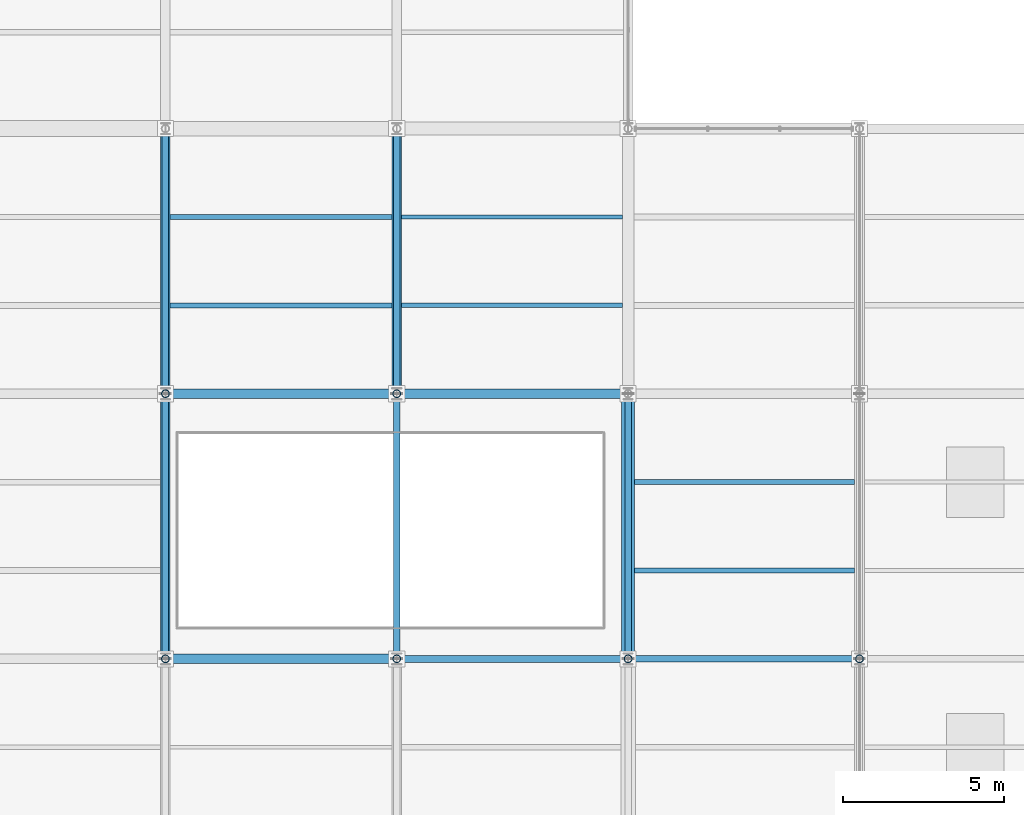
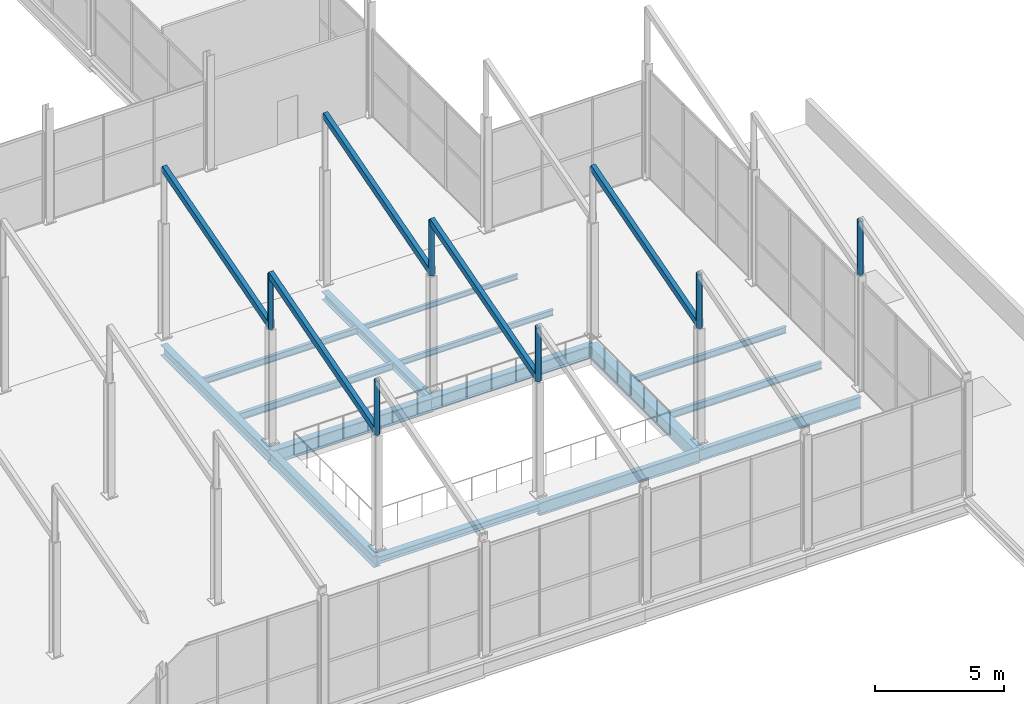
# One storey, part 66 of 141: 15 beams, 11 members.
"""IFC4 building model written with IfcOpenShell, lengths in metres."""

from ifc_helpers import new_model, si_unit, direction, frame, origin, origin_2d, place, context, subcontext, project, spatial, rectangle, hollow_rectangle, hollow_circle, i_section, extrude, material, material_profile, profile_set, type_object, element, save


model = new_model("IFC4")

# Units and contexts
model_context = context("Model", 3, precision=1e-05, world=origin(), true_north=direction((0.0, 1.0)))
body_context = subcontext(model_context, "Body", "Model", "MODEL_VIEW")
ifc_project = project(units=[si_unit("LENGTHUNIT", "METRE"), si_unit("AREAUNIT", "SQUARE_METRE"), si_unit("VOLUMEUNIT", "CUBIC_METRE"), si_unit("PLANEANGLEUNIT", "RADIAN"), si_unit("MASSUNIT", "GRAM", prefix="KILO")], contexts=[model_context])

# Site, building, storey
site_placement = place(None, origin())
site = spatial("IfcSite", under=ifc_project, at=site_placement, CompositionType="ELEMENT")
building_placement = place(site_placement, origin())
building = spatial("IfcBuilding", under=site, at=building_placement, Name="Sundgate Opera House", CompositionType="ELEMENT")
storey_placement = place(building_placement, frame((0.0, 0.0, 11.39990234375)))
storey = spatial("IfcBuildingStorey", under=building, at=storey_placement, Name="L02", CompositionType="ELEMENT", Elevation=11.39990234375)

# Beams
ifc_material_1 = material(Name="Steel S355J2", Category="steel")
ifc_material_profile_1 = material_profile(ifc_material_1, i_section(OverallWidth=0.300048828125, OverallDepth=0.330078125, WebThickness=0.009521484375, FlangeThickness=0.0166015625, at=origin_2d()), Name="HEA 340")
ifc_profile_set_1 = profile_set([ifc_material_profile_1], Name="Steel S355J2")
beam_type_1 = type_object("IfcBeamType", Name="BM-GR-HEA340", PredefinedType="BEAM", material=ifc_profile_set_1)
beam_1_placement = place(storey_placement, frame((131.39990234375, 16.5, -0.514892578125), z_axis=(1.0, 0.0, 0.0), x_axis=(0.0, 1.0, 0.0)))
element("IfcBeam", 1, at=beam_1_placement, inside=storey, type_object=beam_type_1, Name="L02 Primary E-W Girder B1980", PredefinedType="BEAM", context=body_context, shape_type="SweptSolid", body=[
    extrude(i_section(OverallWidth=0.300048828125, OverallDepth=0.330078125, WebThickness=0.009521484375, FlangeThickness=0.0166015625, at=origin_2d()), origin(), (0.0, 0.0, 1.0), 7.2001953125),
])
ifc_material_2 = material(Name="Steel S355J2", Category="steel")
ifc_material_profile_2 = material_profile(ifc_material_2, i_section(OverallWidth=0.300048828125, OverallDepth=0.389892578125, WebThickness=0.010986328125, FlangeThickness=0.01904296875, at=origin_2d()), Name="HEA 400")
ifc_profile_set_2 = profile_set([ifc_material_profile_2], Name="Steel S355J2")
beam_type_2 = type_object("IfcBeamType", Name="BM-GR-HEA400", PredefinedType="BEAM", material=ifc_profile_set_2)
beam_2_placement = place(storey_placement, frame((138.60009765625, 24.75, -0.544921875), z_axis=(0.0, 1.0, 0.0), x_axis=(-1.0, 0.0, 0.0)))
element("IfcBeam", 2, at=beam_2_placement, inside=storey, type_object=beam_type_2, Name="L02 Primary N-S Girder B1912", PredefinedType="BEAM", context=body_context, shape_type="SweptSolid", body=[
    extrude(i_section(OverallWidth=0.300048828125, OverallDepth=0.389892578125, WebThickness=0.010986328125, FlangeThickness=0.01904296875, at=origin_2d()), origin(), (0.0, 0.0, 1.0), 8.25),
])
ifc_material_3 = material(Name="Steel S355J2", Category="steel")
ifc_material_profile_3 = material_profile(ifc_material_3, i_section(OverallWidth=0.300048828125, OverallDepth=0.5, WebThickness=0.014404296875, FlangeThickness=0.028076171875, at=origin_2d()), Name="HEB 500")
ifc_profile_set_3 = profile_set([ifc_material_profile_3], Name="Steel S355J2")
beam_type_3 = type_object("IfcBeamType", Name="BM-GR-HEB500", PredefinedType="BEAM", material=ifc_profile_set_3)
beam_3_placement = place(storey_placement, frame((131.39990234375, 24.75, -0.599853515625), z_axis=(0.0, 1.0, 0.0), x_axis=(-1.0, 0.0, 0.0)))
element("IfcBeam", 3, at=beam_3_placement, inside=storey, type_object=beam_type_3, Name="L02 Primary N-S Girder B1905", PredefinedType="BEAM", context=body_context, shape_type="SweptSolid", body=[
    extrude(i_section(OverallWidth=0.300048828125, OverallDepth=0.5, WebThickness=0.014404296875, FlangeThickness=0.028076171875, at=origin_2d()), origin(), (0.0, 0.0, 1.0), 8.25),
])
ifc_material_4 = material(Name="Steel S355J2", Category="steel")
ifc_material_profile_4 = material_profile(ifc_material_4, i_section(OverallWidth=0.300048828125, OverallDepth=0.550048828125, WebThickness=0.014892578125, FlangeThickness=0.029052734375, at=origin_2d()), Name="HEB 550")
ifc_profile_set_4 = profile_set([ifc_material_profile_4], Name="Steel S355J2")
beam_type_4 = type_object("IfcBeamType", Name="BM-GR-HEB550", PredefinedType="BEAM", material=ifc_profile_set_4)
beam_4_placement = place(storey_placement, frame((131.39990234375, 16.5, -0.625), z_axis=(0.0, 1.0, 0.0), x_axis=(-1.0, 0.0, 0.0)))
element("IfcBeam", 4, at=beam_4_placement, inside=storey, type_object=beam_type_4, Name="L02 Primary N-S Girder B1904", PredefinedType="BEAM", context=body_context, shape_type="SweptSolid", body=[
    extrude(i_section(OverallWidth=0.300048828125, OverallDepth=0.550048828125, WebThickness=0.014892578125, FlangeThickness=0.029052734375, at=origin_2d()), origin(), (0.0, 0.0, 1.0), 8.25),
])
ifc_material_5 = material(Name="Steel S355J2", Category="steel")
ifc_material_profile_5 = material_profile(ifc_material_5, i_section(OverallWidth=0.300048828125, OverallDepth=0.60009765625, WebThickness=0.015380859375, FlangeThickness=0.030029296875, at=origin_2d()), Name="HEB 600")
ifc_profile_set_5 = profile_set([ifc_material_profile_5], Name="Steel S355J2")
beam_type_5 = type_object("IfcBeamType", Name="BM-GR-HEB600", PredefinedType="BEAM", material=ifc_profile_set_5)
beam_5_placement = place(storey_placement, frame((138.60009765625, 24.75, -0.64990234375), z_axis=(1.0, 0.0, 0.0), x_axis=(0.0, 1.0, 0.0)))
element("IfcBeam", 5, at=beam_5_placement, inside=storey, type_object=beam_type_5, Name="L02 Primary E-W Girder B1991", PredefinedType="BEAM", context=body_context, shape_type="SweptSolid", body=[
    extrude(i_section(OverallWidth=0.300048828125, OverallDepth=0.60009765625, WebThickness=0.015380859375, FlangeThickness=0.030029296875, at=origin_2d()), origin(), (0.0, 0.0, 1.0), 7.199951171875),
])
ifc_material_6 = material(Name="Steel S355J2", Category="steel")
ifc_material_profile_6 = material_profile(ifc_material_6, i_section(OverallWidth=0.300048828125, OverallDepth=0.64990234375, WebThickness=0.01611328125, FlangeThickness=0.031005859375, at=origin_2d()), Name="HEB 650")
ifc_profile_set_6 = profile_set([ifc_material_profile_6], Name="Steel S355J2")
beam_type_6 = type_object("IfcBeamType", Name="BM-GR-HEB650", PredefinedType="BEAM", material=ifc_profile_set_6)
beam_6_placement = place(storey_placement, frame((131.39990234375, 24.75, -0.6748046875), z_axis=(1.0, 0.0, 0.0), x_axis=(0.0, 1.0, 0.0)))
element("IfcBeam", 6, at=beam_6_placement, inside=storey, type_object=beam_type_6, Name="L02 Primary E-W Girder B1990", PredefinedType="BEAM", context=body_context, shape_type="SweptSolid", body=[
    extrude(i_section(OverallWidth=0.300048828125, OverallDepth=0.64990234375, WebThickness=0.01611328125, FlangeThickness=0.031005859375, at=origin_2d()), origin(), (0.0, 0.0, 1.0), 7.2001953125),
])
ifc_material_7 = material(Name="Steel S355J2", Category="steel")
ifc_material_profile_7 = material_profile(ifc_material_7, i_section(OverallWidth=0.2099609375, OverallDepth=0.550048828125, WebThickness=0.010986328125, FlangeThickness=0.01708984375, at=origin_2d()), Name="IPE 550")
ifc_profile_set_7 = profile_set([ifc_material_profile_7], Name="Steel S355J2")
beam_type_7 = type_object("IfcBeamType", Name="BM-GR-IPE550", PredefinedType="BEAM", material=ifc_profile_set_7)
beam_7_placement = place(storey_placement, frame((145.800048828125, 16.5, -0.625), z_axis=(1.0, 0.0, 0.0), x_axis=(0.0, 1.0, 0.0)))
element("IfcBeam", 7, at=beam_7_placement, inside=storey, type_object=beam_type_7, Name="L02 Primary E-W Girder B1982", PredefinedType="BEAM", context=body_context, shape_type="SweptSolid", body=[
    extrude(i_section(OverallWidth=0.2099609375, OverallDepth=0.550048828125, WebThickness=0.010986328125, FlangeThickness=0.01708984375, at=origin_2d()), origin(), (0.0, 0.0, 1.0), 7.199951171875),
])
ifc_material_8 = material(Name="Steel S355J2", Category="steel")
ifc_material_profile_8 = material_profile(ifc_material_8, i_section(OverallWidth=0.219970703125, OverallDepth=0.60009765625, WebThickness=0.011962890625, FlangeThickness=0.01904296875, at=origin_2d()), Name="IPE 600")
ifc_profile_set_8 = profile_set([ifc_material_profile_8], Name="Steel S355J2")
beam_type_8 = type_object("IfcBeamType", Name="BM-GR-IPE600", PredefinedType="BEAM", material=ifc_profile_set_8)
beam_8_placement = place(storey_placement, frame((138.60009765625, 16.5, -0.64990234375), z_axis=(1.0, 0.0, 0.0), x_axis=(0.0, 1.0, 0.0)))
element("IfcBeam", 8, at=beam_8_placement, inside=storey, type_object=beam_type_8, Name="L02 Primary E-W Girder B1981", PredefinedType="BEAM", context=body_context, shape_type="SweptSolid", body=[
    extrude(i_section(OverallWidth=0.219970703125, OverallDepth=0.60009765625, WebThickness=0.011962890625, FlangeThickness=0.01904296875, at=origin_2d()), origin(), (0.0, 0.0, 1.0), 7.199951171875),
])
ifc_material_9 = material(Name="Steel S355J2", Category="steel")
ifc_material_profile_9 = material_profile(ifc_material_9, i_section(OverallWidth=0.1201171875, OverallDepth=0.239990234375, WebThickness=0.006103515625, FlangeThickness=0.009765625, at=origin_2d()), Name="IPE 240")
ifc_profile_set_9 = profile_set([ifc_material_profile_9], Name="Steel S355J2")
beam_type_9 = type_object("IfcBeamType", Name="BM-JS-IPE240", PredefinedType="JOIST", material=ifc_profile_set_9)
beam_9_placement = place(storey_placement, frame((138.75, 30.25, -0.469970703125), z_axis=(1.0, 0.0, 0.0), x_axis=(0.0, 1.0, 0.0)))
element("IfcBeam", 9, at=beam_9_placement, inside=storey, type_object=beam_type_9, Name="L02 Secondary Floor Joist B2191", PredefinedType="JOIST", context=body_context, shape_type="SweptSolid", body=[
    extrude(i_section(OverallWidth=0.1201171875, OverallDepth=0.239990234375, WebThickness=0.006103515625, FlangeThickness=0.009765625, at=origin_2d()), origin(), (0.0, 0.0, 1.0), 6.875),
])
ifc_material_10 = material(Name="Steel S355J2", Category="steel")
ifc_material_profile_10 = material_profile(ifc_material_10, i_section(OverallWidth=0.135009765625, OverallDepth=0.27001953125, WebThickness=0.006591796875, FlangeThickness=0.01025390625, at=origin_2d()), Name="IPE 270")
ifc_profile_set_10 = profile_set([ifc_material_profile_10], Name="Steel S355J2")
beam_type_10 = type_object("IfcBeamType", Name="BM-JS-IPE270", PredefinedType="JOIST", material=ifc_profile_set_10)
beam_10_placement = place(storey_placement, frame((138.75, 27.5, -0.48486328125), z_axis=(1.0, 0.0, 0.0), x_axis=(0.0, 1.0, 0.0)))
element("IfcBeam", 10, at=beam_10_placement, inside=storey, type_object=beam_type_10, Name="L02 Secondary Floor Joist B2190", PredefinedType="JOIST", context=body_context, shape_type="SweptSolid", body=[
    extrude(i_section(OverallWidth=0.135009765625, OverallDepth=0.27001953125, WebThickness=0.006591796875, FlangeThickness=0.01025390625, at=origin_2d()), origin(), (0.0, 0.0, 1.0), 6.875),
])
ifc_material_11 = material(Name="Steel S355J2", Category="steel")
ifc_material_profile_11 = material_profile(ifc_material_11, i_section(OverallWidth=0.14990234375, OverallDepth=0.300048828125, WebThickness=0.007080078125, FlangeThickness=0.0107421875, at=origin_2d()), Name="IPE 300")
ifc_profile_set_11 = profile_set([ifc_material_profile_11], Name="Steel S355J2")
beam_type_11 = type_object("IfcBeamType", Name="BM-JS-IPE300", PredefinedType="JOIST", material=ifc_profile_set_11)
beam_11_placement = place(storey_placement, frame((146.0, 22.0, -0.5), z_axis=(1.0, 0.0, 0.0), x_axis=(0.0, 1.0, 0.0)))
element("IfcBeam", 11, at=beam_11_placement, inside=storey, type_object=beam_type_11, Name="L02 Secondary Floor Joist B2175", PredefinedType="JOIST", context=body_context, shape_type="SweptSolid", body=[
    extrude(i_section(OverallWidth=0.14990234375, OverallDepth=0.300048828125, WebThickness=0.007080078125, FlangeThickness=0.0107421875, at=origin_2d()), origin(), (0.0, 0.0, 1.0), 6.85009765625),
])
beam_12_placement = place(storey_placement, frame((131.550048828125, 30.25, -0.5), z_axis=(1.0, 0.0, 0.0), x_axis=(0.0, 1.0, 0.0)))
element("IfcBeam", 12, at=beam_12_placement, inside=storey, type_object=beam_type_11, Name="L02 Secondary Floor Joist B2189", PredefinedType="JOIST", context=body_context, shape_type="SweptSolid", body=[
    extrude(i_section(OverallWidth=0.14990234375, OverallDepth=0.300048828125, WebThickness=0.007080078125, FlangeThickness=0.0107421875, at=origin_2d()), origin(), (0.0, 0.0, 1.0), 6.89990234375),
])
ifc_material_12 = material(Name="Steel S355J2", Category="steel")
ifc_material_profile_12 = material_profile(ifc_material_12, i_section(OverallWidth=0.159912109375, OverallDepth=0.330078125, WebThickness=0.007568359375, FlangeThickness=0.011474609375, at=origin_2d()), Name="IPE 330")
ifc_profile_set_12 = profile_set([ifc_material_profile_12], Name="Steel S355J2")
beam_type_12 = type_object("IfcBeamType", Name="BM-JS-IPE330", PredefinedType="JOIST", material=ifc_profile_set_12)
beam_13_placement = place(storey_placement, frame((146.0, 19.25, -0.514892578125), z_axis=(1.0, 0.0, 0.0), x_axis=(0.0, 1.0, 0.0)))
element("IfcBeam", 13, at=beam_13_placement, inside=storey, type_object=beam_type_12, Name="L02 Secondary Floor Joist B2174", PredefinedType="JOIST", context=body_context, shape_type="SweptSolid", body=[
    extrude(i_section(OverallWidth=0.159912109375, OverallDepth=0.330078125, WebThickness=0.007568359375, FlangeThickness=0.011474609375, at=origin_2d()), origin(), (0.0, 0.0, 1.0), 6.85009765625),
])
beam_14_placement = place(storey_placement, frame((131.550048828125, 27.5, -0.514892578125), z_axis=(1.0, 0.0, 0.0), x_axis=(0.0, 1.0, 0.0)))
element("IfcBeam", 14, at=beam_14_placement, inside=storey, type_object=beam_type_12, Name="L02 Secondary Floor Joist B2188", PredefinedType="JOIST", context=body_context, shape_type="SweptSolid", body=[
    extrude(i_section(OverallWidth=0.159912109375, OverallDepth=0.330078125, WebThickness=0.007568359375, FlangeThickness=0.011474609375, at=origin_2d()), origin(), (0.0, 0.0, 1.0), 6.89990234375),
])
ifc_material_13 = material(Name="Concrete C35/45", Category="concrete")
ifc_material_profile_13 = material_profile(ifc_material_13, rectangle(XDim=0.39990234375, YDim=0.60009765625, at=origin_2d()), Name="RC 400x600")
ifc_profile_set_13 = profile_set([ifc_material_profile_13], Name="Concrete C35/45")
beam_type_13 = type_object("IfcBeamType", Name="BM-RC-400x600", PredefinedType="BEAM", material=ifc_profile_set_13)
beam_15_placement = place(storey_placement, frame((145.800048828125, 16.5, -0.64990234375), z_axis=(0.0, 1.0, 0.0), x_axis=(-1.0, 0.0, 0.0)))
element("IfcBeam", 15, at=beam_15_placement, inside=storey, type_object=beam_type_13, Name="L02 Primary N-S Girder B1921", PredefinedType="BEAM", context=body_context, shape_type="SweptSolid", body=[
    extrude(rectangle(XDim=0.39990234375, YDim=0.60009765625, at=origin_2d()), origin(), (0.0, 0.0, 1.0), 8.25),
])

# Members
ifc_material_14 = material(Name="Steel S355J2", Category="steel")
ifc_material_profile_14 = material_profile(ifc_material_14, hollow_rectangle(XDim=0.199951171875, YDim=0.300048828125, WallThickness=0.012451171875, at=origin_2d()), Name="RHS 300x200x12.5")
ifc_profile_set_14 = profile_set([ifc_material_profile_14], Name="Steel S355J2")
member_type_1 = type_object("IfcMemberType", Name="MB-CHORD-RHS300", PredefinedType="CHORD", material=ifc_profile_set_14)
for number, where, z_axis, x_axis, name in (
    (16, (131.39990234375, 16.5, 5.550048828125), (0.0, 0.96019072379, 0.279345259398), (-1.0, 0.0, 0.0), "L02 Sawtooth Rafter M0409"),
    (17, (138.60009765625, 16.5, 5.550048828125), (0.0, 0.96019072379, 0.279345259398), (-1.0, 0.0, 0.0), "L02 Sawtooth Rafter M0411"),
    (18, (145.800048828125, 16.5, 5.550048828125), (0.0, 0.96019072379, 0.279345259398), (-1.0, 0.0, 0.0), "L02 Sawtooth Rafter M0413"),
    (19, (131.39990234375, 24.75, 5.550048828125), (0.0, 0.96019072379, 0.279345259398), (-1.0, 0.0, 0.0), "L02 Sawtooth Rafter M0427"),
    (20, (138.60009765625, 24.75, 5.550048828125), (0.0, 0.96019072379, 0.279345259398), (-1.0, 0.0, 0.0), "L02 Sawtooth Rafter M0429"),
):
    element("IfcMember", number, at=place(storey_placement, frame(where, z_axis=z_axis, x_axis=x_axis)), inside=storey, type_object=member_type_1, Name=name, PredefinedType="CHORD", context=body_context, shape_type="SweptSolid", body=[
        extrude(hollow_rectangle(XDim=0.199951171875, YDim=0.300048828125, WallThickness=0.012451171875, at=origin_2d()), origin(), (0.0, 0.0, 1.0), 8.592041015625),
    ])
ifc_material_15 = material(Name="Steel S355J2", Category="steel")
ifc_material_profile_15 = material_profile(ifc_material_15, hollow_circle(Radius=0.122314453125, WallThickness=0.012451171875, at=origin_2d()), Name="CHS 244.5x12.5")
ifc_profile_set_15 = profile_set([ifc_material_profile_15], Name="Steel S355J2")
member_type_2 = type_object("IfcMemberType", Name="MB-STRUT-CHS244", PredefinedType="STRUT", material=ifc_profile_set_15)
for number, where, z_axis, x_axis, name in (
    (21, (131.39990234375, 16.5, 5.400146484375), (0.0, 0.0, 1.0), (1.0, 0.0, 0.0), "L02 Sawtooth Northlight Post M0392"),
    (22, (138.60009765625, 16.5, 5.400146484375), (0.0, 0.0, 1.0), (1.0, 0.0, 0.0), "L02 Sawtooth Northlight Post M0394"),
    (23, (145.800048828125, 16.5, 5.400146484375), (0.0, 0.0, 1.0), (1.0, 0.0, 0.0), "L02 Sawtooth Northlight Post M0396"),
    (24, (153.0, 16.5, 5.400146484375), (0.0, 0.0, 1.0), (1.0, 0.0, 0.0), "L02 Sawtooth Northlight Post M0398"),
    (25, (131.39990234375, 24.75, 5.400146484375), (0.0, 0.0, 1.0), (1.0, 0.0, 0.0), "L02 Sawtooth Northlight Post M0410"),
    (26, (138.60009765625, 24.75, 5.400146484375), (0.0, 0.0, 1.0), (1.0, 0.0, 0.0), "L02 Sawtooth Northlight Post M0412"),
):
    element("IfcMember", number, at=place(storey_placement, frame(where, z_axis=z_axis, x_axis=x_axis)), inside=storey, type_object=member_type_2, Name=name, PredefinedType="STRUT", context=body_context, shape_type="SweptSolid", body=[
        extrude(hollow_circle(Radius=0.122314453125, WallThickness=0.012451171875, at=origin_2d()), origin(), (0.0, 0.0, 1.0), 2.550048828125),
    ])

save(model, "model.ifc")
